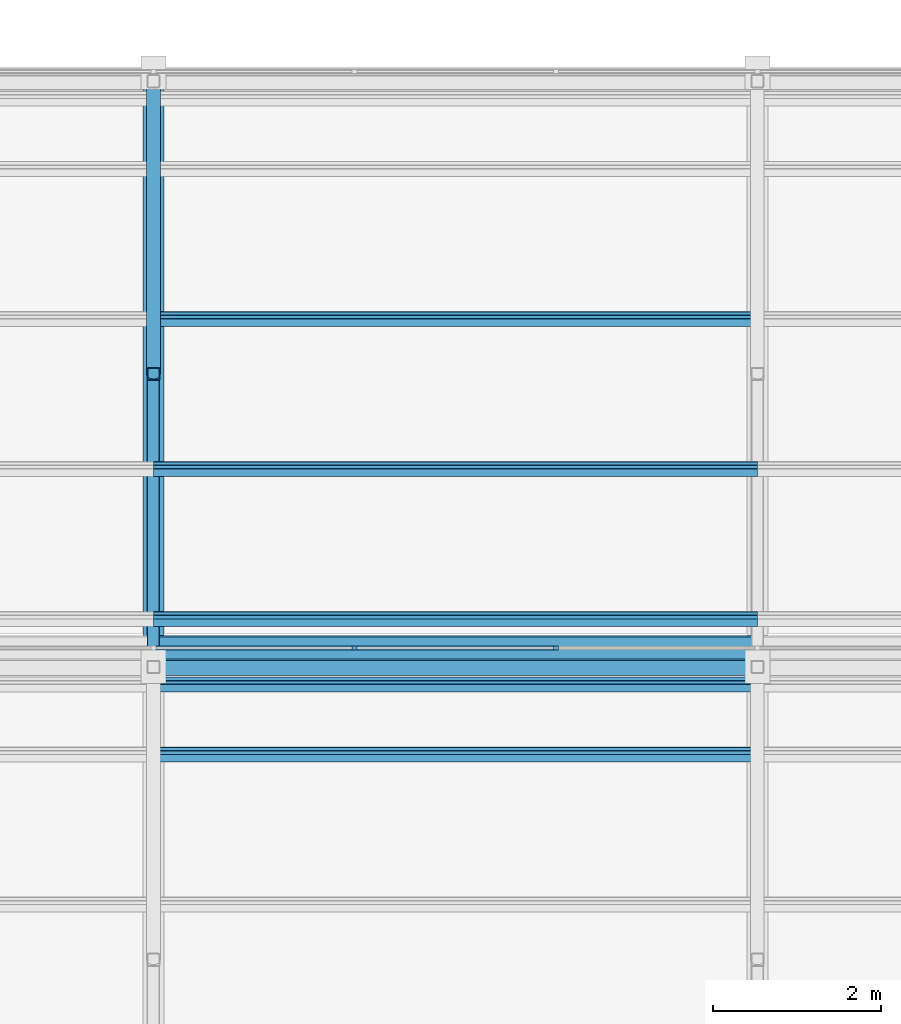
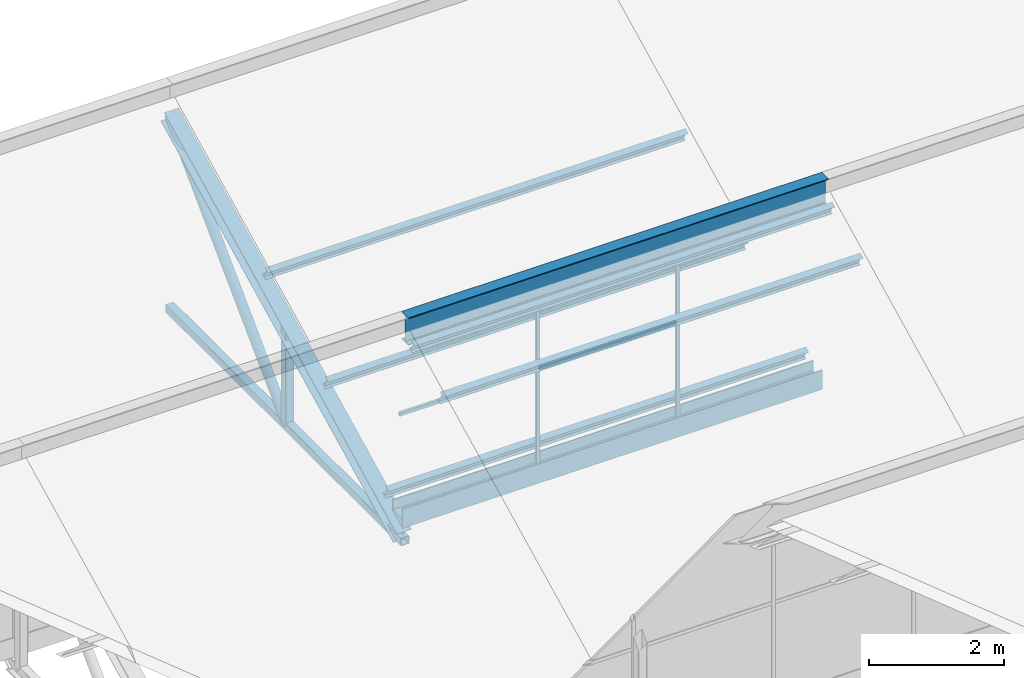
# One storey, part 40 of 83: 15 members, 1 element without a shape of its own.
"""IFC4 building model written with IfcOpenShell, lengths in metres."""

from ifc_helpers import new_model, si_unit, direction, frame, origin, origin_2d, place, context, subcontext, project, spatial, polyline, rectangle, hollow_rectangle, hollow_circle, i_section, outline, extrude, material, material_profile, profile_set, type_object, element, aggregate, save


model = new_model("IFC4")

# Units and contexts
model_context = context("Model", 3, precision=1e-05, world=origin(), true_north=direction((0.0, 1.0)))
body_context = subcontext(model_context, "Body", "Model", "MODEL_VIEW")
ifc_project = project(units=[si_unit("LENGTHUNIT", "METRE"), si_unit("AREAUNIT", "SQUARE_METRE"), si_unit("VOLUMEUNIT", "CUBIC_METRE"), si_unit("PLANEANGLEUNIT", "RADIAN"), si_unit("MASSUNIT", "GRAM", prefix="KILO")], contexts=[model_context])

# Site, building, storey
site_placement = place(None, origin())
site = spatial("IfcSite", under=ifc_project, at=site_placement, CompositionType="ELEMENT")
building_placement = place(site_placement, origin())
building = spatial("IfcBuilding", under=site, at=building_placement, Name="Silangan Lancet Faculty of Sciences", CompositionType="ELEMENT")
storey_placement = place(building_placement, frame((0.0, 0.0, 11.39990234375)))
storey = spatial("IfcBuildingStorey", under=building, at=storey_placement, Name="L02", CompositionType="ELEMENT", Elevation=11.39990234375)

# Member
ifc_material_1 = material(Name="Steel SS400", Category="steel")
ifc_material_profile_1 = material_profile(ifc_material_1, i_section(OverallWidth=0.199951171875, OverallDepth=0.5, WebThickness=0.010009765625, FlangeThickness=0.01611328125, FilletRadius=0.02001953125, at=origin_2d()), Name="H 500x200x10x16")
ifc_profile_set_1 = profile_set([ifc_material_profile_1], Name="Steel SS400")
member_type_1 = type_object("IfcMemberType", Name="Exposed ridge beam H 500x200x10x16", PredefinedType="MEMBER", material=ifc_profile_set_1)
member_1_placement = place(storey_placement, frame((57.60009765625, 50.38818359375, 3.942626953125), z_axis=(1.0, 0.0, 0.0), x_axis=(0.0, 1.0, 0.0)))
element("IfcMember", 1, at=member_1_placement, inside=storey, type_object=member_type_1, Name="Exposed ridge beam NAB-2-5", PredefinedType="MEMBER", context=body_context, shape_type="SweptSolid", body=[
    extrude(i_section(OverallWidth=0.199951171875, OverallDepth=0.5, WebThickness=0.010009765625, FlangeThickness=0.01611328125, FilletRadius=0.02001953125, at=origin_2d()), origin(), (0.0, 0.0, 1.0), 7.199951171875),
])

# Curtain wall, members
ifc_material_2 = material(Name="Aluminium and laminated glass", Category="aluminium")
curtain_wall_type = type_object("IfcCurtainWallType", Name="North light glazing system", PredefinedType="NOTDEFINED", material=ifc_material_2)
curtain_wall_placement = place(storey_placement, origin())
curtain_wall = element("IfcCurtainWall", 2, at=curtain_wall_placement, inside=storey, type_object=curtain_wall_type, Name="North light glazing NAB-2-5", PredefinedType="NOTDEFINED")
ifc_material_3 = material(Name="Aluminium 6063-T6", Category="aluminium")
ifc_material_profile_2 = material_profile(ifc_material_3, rectangle(XDim=0.06005859375, YDim=0.050048828125, at=origin_2d()), Name="AL 60x50")
ifc_profile_set_2 = profile_set([ifc_material_profile_2], Name="Aluminium 6063-T6")
member_type_2 = type_object("IfcMemberType", Name="North light mullion 60x50", PredefinedType="MULLION", material=ifc_profile_set_2)
member_2_placement = place(storey_placement, frame((60.0, 50.61328125, 0.4423828125), z_axis=(0.0, 0.0, 1.0), x_axis=(1.0, 0.0, 0.0)))
member_2 = element("IfcMember", 3, at=member_2_placement, type_object=member_type_2, Name="North light mullion NAB-2-5 2", PredefinedType="MULLION", context=body_context, shape_type="SweptSolid", body=[
    extrude(rectangle(XDim=0.06005859375, YDim=0.050048828125, at=origin_2d()), origin(), (0.0, 0.0, 1.0), 3.60595703125),
])
member_3_placement = place(storey_placement, frame((62.39990234375, 50.61328125, 0.4423828125), z_axis=(0.0, 0.0, 1.0), x_axis=(1.0, 0.0, 0.0)))
member_3 = element("IfcMember", 4, at=member_3_placement, type_object=member_type_2, Name="North light mullion NAB-2-5 3", PredefinedType="MULLION", context=body_context, shape_type="SweptSolid", body=[
    extrude(rectangle(XDim=0.06005859375, YDim=0.050048828125, at=origin_2d()), origin(), (0.0, 0.0, 1.0), 3.60595703125),
])
ifc_material_4 = material(Name="Aluminium 6063-T6", Category="aluminium")
ifc_material_profile_3 = material_profile(ifc_material_4, rectangle(XDim=0.050048828125, YDim=0.06005859375, at=origin_2d()), Name="AL 50x60")
ifc_profile_set_3 = profile_set([ifc_material_profile_3], Name="Aluminium 6063-T6")
member_type_3 = type_object("IfcMemberType", Name="North light transom 50x60", PredefinedType="USERDEFINED", material=ifc_profile_set_3)
member_4_placement = place(storey_placement, frame((57.6298828125, 50.61328125, 2.245361328125), z_axis=(1.0, 0.0, 0.0), x_axis=(0.0, 1.0, 0.0)))
member_4 = element("IfcMember", 5, at=member_4_placement, type_object=member_type_3, Name="North light transom NAB-2-5 1", ObjectType="TRANSOM", PredefinedType="USERDEFINED", context=body_context, shape_type="SweptSolid", body=[
    extrude(rectangle(XDim=0.050048828125, YDim=0.06005859375, at=origin_2d()), origin(), (0.0, 0.0, 1.0), 2.340087890625),
])
member_5_placement = place(storey_placement, frame((60.030029296875, 50.61328125, 2.245361328125), z_axis=(1.0, 0.0, 0.0), x_axis=(0.0, 1.0, 0.0)))
member_5 = element("IfcMember", 6, at=member_5_placement, type_object=member_type_3, Name="North light transom NAB-2-5 2", ObjectType="TRANSOM", PredefinedType="USERDEFINED", context=body_context, shape_type="SweptSolid", body=[
    extrude(rectangle(XDim=0.050048828125, YDim=0.06005859375, at=origin_2d()), origin(), (0.0, 0.0, 1.0), 2.340087890625),
])
aggregate(curtain_wall, [member_2, member_3, member_4, member_5])

# Members
ifc_material_5 = material(Name="Steel SS400", Category="steel")
ifc_material_profile_4 = material_profile(ifc_material_5, i_section(OverallWidth=0.10009765625, OverallDepth=0.199951171875, WebThickness=0.005615234375, FlangeThickness=0.008056640625, FilletRadius=0.008056640625, at=origin_2d()), Name="H 200x100x5.5x8")
ifc_profile_set_4 = profile_set([ifc_material_profile_4], Name="Steel SS400")
member_type_4 = type_object("IfcMemberType", Name="Sheeting purlin H 200x100x5.5x8", PredefinedType="PURLIN", material=ifc_profile_set_4)
for number, where, z_axis, x_axis, name in (
    (7, (57.60009765625, 49.343505859375, 3.31494140625), (1.0, 0.0, 0.0), (0.0, 0.894427192382, 0.447213592736), "Sheeting purlin NAB-2-5 4"),
    (8, (57.60009765625, 50.180419921875, 3.7333984375), (1.0, 0.0, 0.0), (0.0, 0.894427192382, 0.447213592736), "Sheeting purlin NAB-2-5 5"),
    (9, (57.60009765625, 50.95849609375, 0.6318359375), (1.0, 0.0, 0.0), (0.0, 0.894427192382, 0.447213592736), "Sheeting purlin NAB-3-5 1"),
    (10, (57.60009765625, 52.747314453125, 1.526123046875), (1.0, 0.0, 0.0), (0.0, 0.894427192382, 0.447213592736), "Sheeting purlin NAB-3-5 2"),
    (11, (57.60009765625, 54.5361328125, 2.420654296875), (1.0, 0.0, 0.0), (0.0, 0.894427192382, 0.447213592736), "Sheeting purlin NAB-3-5 3"),
):
    element("IfcMember", number, at=place(storey_placement, frame(where, z_axis=z_axis, x_axis=x_axis)), inside=storey, type_object=member_type_4, Name=name, PredefinedType="PURLIN", context=body_context, shape_type="SweptSolid", body=[
        extrude(i_section(OverallWidth=0.10009765625, OverallDepth=0.199951171875, WebThickness=0.005615234375, FlangeThickness=0.008056640625, FilletRadius=0.008056640625, at=origin_2d()), origin(), (0.0, 0.0, 1.0), 7.199951171875),
    ])
ifc_material_6 = material(Name="Steel STKR400", Category="steel")
ifc_material_profile_5 = material_profile(ifc_material_6, hollow_rectangle(XDim=0.14990234375, YDim=0.14990234375, WallThickness=0.009033203125, InnerFilletRadius=0.009033203125, OuterFilletRadius=0.01806640625, at=origin_2d()), Name="SHS 150x150x9.0")
ifc_profile_set_5 = profile_set([ifc_material_profile_5], Name="Steel STKR400")
member_type_5 = type_object("IfcMemberType", Name="Truss bottom chord SHS 150x150x9.0", PredefinedType="CHORD", material=ifc_profile_set_5)
member_6_placement = place(storey_placement, frame((57.60009765625, 50.38818359375, 0.09521484375), z_axis=(0.0, 1.0, 0.0), x_axis=(-1.0, 0.0, 0.0)))
element("IfcMember", 12, at=member_6_placement, inside=storey, type_object=member_type_5, Name="Truss 5 bottom chord 3", PredefinedType="CHORD", context=body_context, shape_type="SweptSolid", body=[
    extrude(hollow_rectangle(XDim=0.14990234375, YDim=0.14990234375, WallThickness=0.009033203125, InnerFilletRadius=0.009033203125, OuterFilletRadius=0.01806640625, at=origin_2d()), origin(), (0.0, 0.0, 1.0), 6.98193359375),
])
ifc_material_7 = material(Name="Steel STK400", Category="steel")
ifc_material_profile_6 = material_profile(ifc_material_7, hollow_circle(Radius=0.08251953125, WallThickness=0.0048828125, at=origin_2d()), Name="CHS 165.2x5.0")
ifc_profile_set_6 = profile_set([ifc_material_profile_6], Name="Steel STK400")
member_type_6 = type_object("IfcMemberType", Name="Truss diagonal CHS 165.2x5.0", PredefinedType="BRACE", material=ifc_profile_set_6)
member_7_placement = place(storey_placement, frame((57.60009765625, 53.879150390625, 0.09521484375), z_axis=(0.0, 0.707131507361, 0.707082054147), x_axis=(-1.0, 0.0, 0.0)))
element("IfcMember", 13, at=member_7_placement, inside=storey, type_object=member_type_6, Name="Truss 5 diagonal 3", PredefinedType="BRACE", context=body_context, shape_type="SweptSolid", body=[
    extrude(hollow_circle(Radius=0.08251953125, WallThickness=0.0048828125, at=origin_2d()), origin(), (0.0, 0.0, 1.0), 4.936767578125),
])
ifc_material_8 = material(Name="Steel STKR400", Category="steel")
ifc_material_profile_7 = material_profile(ifc_material_8, hollow_rectangle(XDim=0.14990234375, YDim=0.14990234375, WallThickness=0.006103515625, InnerFilletRadius=0.006103515625, OuterFilletRadius=0.011962890625, at=origin_2d()), Name="SHS 150x150x6.0")
ifc_profile_set_7 = profile_set([ifc_material_profile_7], Name="Steel STKR400")
member_type_7 = type_object("IfcMemberType", Name="Truss post SHS 150x150x6.0", PredefinedType="POST", material=ifc_profile_set_7)
member_8_placement = place(storey_placement, frame((57.60009765625, 53.879150390625, 0.09521484375), z_axis=(0.0, 0.0, 1.0), x_axis=(1.0, 0.0, 0.0)))
element("IfcMember", 14, at=member_8_placement, inside=storey, type_object=member_type_7, Name="Truss 5 mid post 3", PredefinedType="POST", context=body_context, shape_type="SweptSolid", body=[
    extrude(hollow_rectangle(XDim=0.14990234375, YDim=0.14990234375, WallThickness=0.006103515625, InnerFilletRadius=0.006103515625, OuterFilletRadius=0.011962890625, at=origin_2d()), origin(), (0.0, 0.0, 1.0), 1.745361328125),
])
ifc_material_9 = material(Name="Steel SS400", Category="steel")
ifc_material_profile_8 = material_profile(ifc_material_9, i_section(OverallWidth=0.25, OverallDepth=0.25, WebThickness=0.009033203125, FlangeThickness=0.013916015625, FilletRadius=0.01611328125, at=origin_2d()), Name="H 250x250x9x14")
ifc_profile_set_8 = profile_set([ifc_material_profile_8], Name="Steel SS400")
member_type_8 = type_object("IfcMemberType", Name="Truss top chord H 250x250x9x14", PredefinedType="CHORD", material=ifc_profile_set_8)
member_9_placement = place(storey_placement, frame((57.60009765625, 50.46875, 0.13525390625), z_axis=(0.0, 0.894427191, 0.4472135955), x_axis=(-1.0, 0.0, 0.0)))
element("IfcMember", 15, at=member_9_placement, inside=storey, type_object=member_type_8, Name="Truss 5 top chord 3", PredefinedType="CHORD", context=body_context, shape_type="SweptSolid", body=[
    extrude(i_section(OverallWidth=0.25, OverallDepth=0.25, WebThickness=0.009033203125, FlangeThickness=0.013916015625, FilletRadius=0.01611328125, at=origin_2d()), origin(), (0.0, 0.0, 1.0), 7.716064453125),
])
ifc_material_10 = material(Name="Stainless steel", Category="steel")
ifc_material_profile_9 = material_profile(ifc_material_10, outline(polyline([(-0.14990234375, 0.0), (0.14990234375, 0.14990234375), (0.14990234375, 0.35009765625), (0.1298828125, 0.35009765625), (0.1298828125, 0.169921875), (-0.1298828125, 0.169921875), (-0.1298828125, 0.35009765625), (-0.14990234375, 0.35009765625), (-0.14990234375, 0.0)])), Name="valley gutter")
ifc_profile_set_9 = profile_set([ifc_material_profile_9], Name="Stainless steel")
member_type_9 = type_object("IfcMemberType", Name="Valley gutter 300 wide", PredefinedType="USERDEFINED", material=ifc_profile_set_9)
member_10_placement = place(storey_placement, frame((57.60009765625, 50.61328125, 0.2724609375), z_axis=(1.0, 0.0, 0.0), x_axis=(0.0, 1.0, 0.0)))
element("IfcMember", 16, at=member_10_placement, inside=storey, type_object=member_type_9, Name="Valley gutter NAB-3-5", ObjectType="GUTTER", PredefinedType="USERDEFINED", context=body_context, shape_type="SweptSolid", body=[
    extrude(outline(polyline([(-0.14990234375, 0.0), (0.14990234375, 0.14990234375), (0.14990234375, 0.35009765625), (0.1298828125, 0.35009765625), (0.1298828125, 0.169921875), (-0.1298828125, 0.169921875), (-0.1298828125, 0.35009765625), (-0.14990234375, 0.35009765625), (-0.14990234375, 0.0)])), origin(), (0.0, 0.0, 1.0), 7.199951171875),
])

save(model, "model.ifc")
